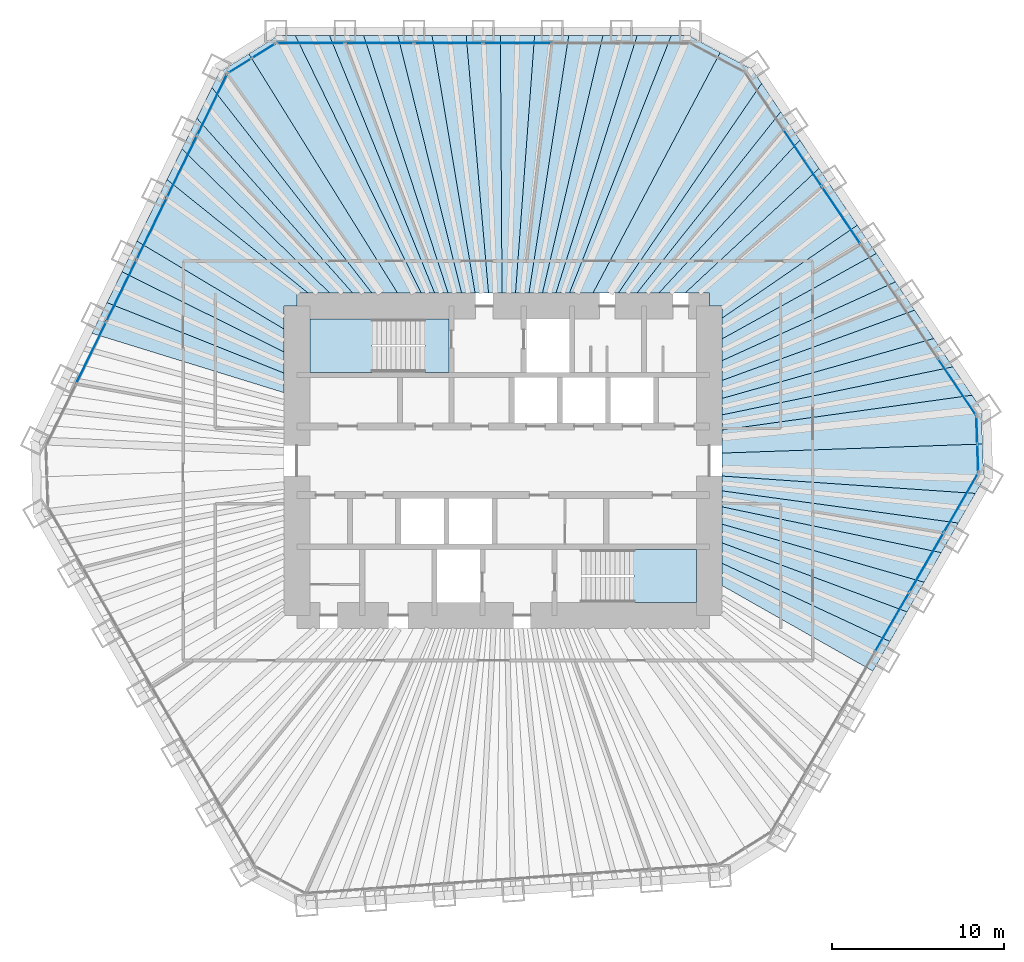
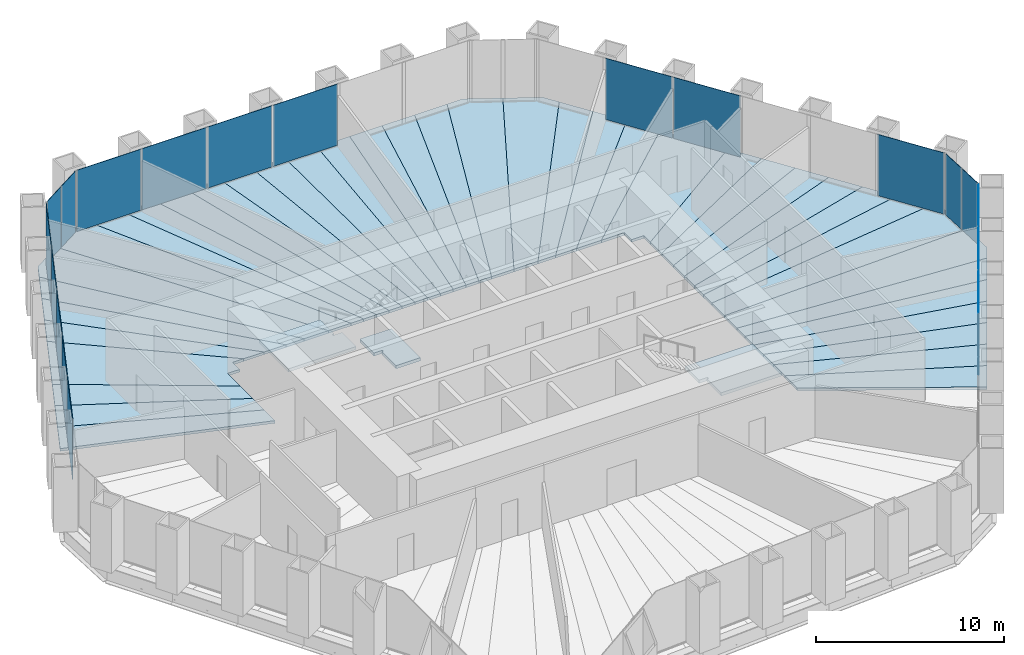
# One storey, part 9 of 13: 43 slabs, 19 plates, 8 elements without a shape of their own.
"""IFC4 building model written with IfcOpenShell, lengths in metres."""

from ifc_helpers import new_model, si_unit, direction, frame, origin, origin_2d, place, context, subcontext, project, spatial, polyline, rectangle, outline, extrude, material, layer, layer_set, type_object, element, aggregate, save


model = new_model("IFC4")

# Units and contexts
model_context = context("Model", 3, precision=1e-05, world=origin(), true_north=direction((0.0, 1.0)))
body_context = subcontext(model_context, "Body", "Model", "MODEL_VIEW")
ifc_project = project(units=[si_unit("LENGTHUNIT", "METRE"), si_unit("AREAUNIT", "SQUARE_METRE"), si_unit("VOLUMEUNIT", "CUBIC_METRE"), si_unit("PLANEANGLEUNIT", "RADIAN"), si_unit("MASSUNIT", "GRAM", prefix="KILO")], contexts=[model_context])

# Site, building, storey
site_placement = place(None, origin())
site = spatial("IfcSite", under=ifc_project, at=site_placement, CompositionType="ELEMENT")
building_placement = place(site_placement, origin())
building = spatial("IfcBuilding", under=site, at=building_placement, Name="Qingtian Harvest Tower", CompositionType="ELEMENT")
storey_placement = place(building_placement, frame((0.0, 0.0, 153.39990234375)))
storey = spatial("IfcBuildingStorey", under=building, at=storey_placement, Name="L32", CompositionType="ELEMENT", Elevation=153.39990234375)

# Slabs
ifc_material_1 = material(Name="Concrete fc' 35 MPa", Category="concrete")
ifc_layer_1 = layer(ifc_material_1, 0.169921875)
ifc_layer_set_1 = layer_set([ifc_layer_1], Name="Composite floor slab FS17 170")
slab_type_1 = type_object("IfcSlabType", Name="Composite floor slab FS17 170", PredefinedType="FLOOR", material=ifc_layer_set_1)
slab_1_placement = place(storey_placement, frame((0.0, 0.0, -0.169921875)))
element("IfcSlab", 1, at=slab_1_placement, inside=storey, type_object=slab_type_1, Name="Floor slab L32 panel D33", PredefinedType="FLOOR", context=body_context, shape_type="SweptSolid", body=[
    extrude(outline(polyline([(12.75, -5.97021484375), (22.51220703125, -10.517578125), (21.517333984375, -12.24072265625), (12.75, -7.268798828125), (12.75, -5.97021484375)])), origin(), (0.0, 0.0, 1.0), 0.169921875),
])
slab_2_placement = place(storey_placement, frame((0.0, 0.0, -0.169921875)))
element("IfcSlab", 2, at=slab_2_placement, inside=storey, type_object=slab_type_1, Name="Floor slab L32 panel D34", PredefinedType="FLOOR", context=body_context, shape_type="SweptSolid", body=[
    extrude(outline(polyline([(12.75, -4.78173828125), (23.50732421875, -8.794189453125), (22.51220703125, -10.517578125), (12.75, -5.97021484375), (12.75, -4.78173828125)])), origin(), (0.0, 0.0, 1.0), 0.169921875),
])
slab_3_placement = place(storey_placement, frame((0.0, 0.0, -0.169921875)))
element("IfcSlab", 3, at=slab_3_placement, inside=storey, type_object=slab_type_1, Name="Floor slab L32 panel D35", PredefinedType="FLOOR", context=body_context, shape_type="SweptSolid", body=[
    extrude(outline(polyline([(12.75, -3.68994140625), (24.502197265625, -7.071044921875), (23.50732421875, -8.794189453125), (12.75, -4.78173828125), (12.75, -3.68994140625)])), origin(), (0.0, 0.0, 1.0), 0.169921875),
])
slab_4_placement = place(storey_placement, frame((0.0, 0.0, -0.169921875)))
element("IfcSlab", 4, at=slab_4_placement, inside=storey, type_object=slab_type_1, Name="Floor slab L32 panel D36", PredefinedType="FLOOR", context=body_context, shape_type="SweptSolid", body=[
    extrude(outline(polyline([(12.75, -2.683349609375), (25.4970703125, -5.34765625), (24.502197265625, -7.071044921875), (12.75, -3.68994140625), (12.75, -2.683349609375)])), origin(), (0.0, 0.0, 1.0), 0.169921875),
])
slab_5_placement = place(storey_placement, frame((0.0, 0.0, -0.169921875)))
element("IfcSlab", 5, at=slab_5_placement, inside=storey, type_object=slab_type_1, Name="Floor slab L32 panel D37", PredefinedType="FLOOR", context=body_context, shape_type="SweptSolid", body=[
    extrude(outline(polyline([(12.75, -1.752685546875), (26.4921875, -3.624267578125), (25.4970703125, -5.34765625), (12.75, -2.683349609375), (12.75, -1.752685546875)])), origin(), (0.0, 0.0, 1.0), 0.169921875),
])
slab_6_placement = place(storey_placement, frame((0.0, 0.0, -0.169921875)))
element("IfcSlab", 6, at=slab_6_placement, inside=storey, type_object=slab_type_1, Name="Floor slab L32 panel D38", PredefinedType="FLOOR", context=body_context, shape_type="SweptSolid", body=[
    extrude(outline(polyline([(12.75, -0.889404296875), (27.487060546875, -1.901123046875), (26.4921875, -3.624267578125), (12.75, -1.752685546875), (12.75, -0.889404296875)])), origin(), (0.0, 0.0, 1.0), 0.169921875),
])
slab_7_placement = place(storey_placement, frame((0.0, 0.0, -0.169921875)))
element("IfcSlab", 7, at=slab_7_placement, inside=storey, type_object=slab_type_1, Name="Floor slab L32 panel D39", PredefinedType="FLOOR", context=body_context, shape_type="SweptSolid", body=[
    extrude(outline(polyline([(12.75, -0.889404296875), (12.75, 0.447509765625), (27.90185546875, 0.974365234375), (27.972900390625, -1.059814453125), (27.487060546875, -1.901123046875), (12.75, -0.889404296875)])), origin(), (0.0, 0.0, 1.0), 0.169921875),
])
slab_8_placement = place(storey_placement, frame((0.0, 0.0, -0.169921875)))
element("IfcSlab", 8, at=slab_8_placement, inside=storey, type_object=slab_type_1, Name="Floor slab L32 panel D40", PredefinedType="FLOOR", context=body_context, shape_type="SweptSolid", body=[
    extrude(outline(polyline([(12.75, 0.447509765625), (12.75, 1.79052734375), (27.287353515625, 3.81396484375), (27.830810546875, 3.008544921875), (27.90185546875, 0.974365234375), (12.75, 0.447509765625)])), origin(), (0.0, 0.0, 1.0), 0.169921875),
])
slab_9_placement = place(storey_placement, frame((0.0, 0.0, -0.169921875)))
element("IfcSlab", 9, at=slab_9_placement, inside=storey, type_object=slab_type_1, Name="Floor slab L32 panel D41", PredefinedType="FLOOR", context=body_context, shape_type="SweptSolid", body=[
    extrude(outline(polyline([(12.75, 2.671142578125), (26.1748046875, 5.463623046875), (27.287353515625, 3.81396484375), (12.75, 1.79052734375), (12.75, 2.671142578125)])), origin(), (0.0, 0.0, 1.0), 0.169921875),
])
slab_10_placement = place(storey_placement, frame((0.0, 0.0, -0.169921875)))
element("IfcSlab", 10, at=slab_10_placement, inside=storey, type_object=slab_type_1, Name="Floor slab L32 panel D42", PredefinedType="FLOOR", context=body_context, shape_type="SweptSolid", body=[
    extrude(outline(polyline([(12.75, 3.6298828125), (25.06201171875, 7.11328125), (26.1748046875, 5.463623046875), (12.75, 2.671142578125), (12.75, 3.6298828125)])), origin(), (0.0, 0.0, 1.0), 0.169921875),
])
slab_11_placement = place(storey_placement, frame((0.0, 0.0, -0.169921875)))
element("IfcSlab", 11, at=slab_11_placement, inside=storey, type_object=slab_type_1, Name="Floor slab L32 panel D43", PredefinedType="FLOOR", context=body_context, shape_type="SweptSolid", body=[
    extrude(outline(polyline([(12.75, 4.677734375), (23.94921875, 8.762939453125), (25.06201171875, 7.11328125), (12.75, 3.6298828125), (12.75, 4.677734375)])), origin(), (0.0, 0.0, 1.0), 0.169921875),
])
slab_12_placement = place(storey_placement, frame((0.0, 0.0, -0.169921875)))
element("IfcSlab", 12, at=slab_12_placement, inside=storey, type_object=slab_type_1, Name="Floor slab L32 panel D44", PredefinedType="FLOOR", context=body_context, shape_type="SweptSolid", body=[
    extrude(outline(polyline([(12.75, 5.828125), (22.83642578125, 10.41259765625), (23.94921875, 8.762939453125), (12.75, 4.677734375), (12.75, 5.828125)])), origin(), (0.0, 0.0, 1.0), 0.169921875),
])
slab_13_placement = place(storey_placement, frame((0.0, 0.0, -0.169921875)))
element("IfcSlab", 13, at=slab_13_placement, inside=storey, type_object=slab_type_1, Name="Floor slab L32 panel D45", PredefinedType="FLOOR", context=body_context, shape_type="SweptSolid", body=[
    extrude(outline(polyline([(12.75, 7.096435546875), (21.723876953125, 12.062255859375), (22.83642578125, 10.41259765625), (12.75, 5.828125), (12.75, 7.096435546875)])), origin(), (0.0, 0.0, 1.0), 0.169921875),
])
slab_14_placement = place(storey_placement, frame((0.0, 0.0, -0.169921875)))
element("IfcSlab", 14, at=slab_14_placement, inside=storey, type_object=slab_type_1, Name="Floor slab L32 panel D46", PredefinedType="FLOOR", context=body_context, shape_type="SweptSolid", body=[
    extrude(outline(polyline([(12.75, 8.30615234375), (20.61328125, 13.708740234375), (21.723876953125, 12.062255859375), (12.75, 7.096435546875), (12.75, 8.30615234375)])), origin(), (0.0, 0.0, 1.0), 0.169921875),
])
slab_15_placement = place(storey_placement, frame((0.0, 0.0, -0.169921875)))
element("IfcSlab", 15, at=slab_15_placement, inside=storey, type_object=slab_type_1, Name="Floor slab L32 panel D48", PredefinedType="FLOOR", context=body_context, shape_type="SweptSolid", body=[
    extrude(outline(polyline([(18.38623046875, 17.010498046875), (20.61328125, 13.708740234375), (12.75, 8.30615234375), (12.75, 9.0), (12.0, 9.0), (12.0, 9.75), (10.578369140625, 9.75), (18.38623046875, 17.010498046875)])), origin(), (0.0, 0.0, 1.0), 0.169921875),
])
slab_16_placement = place(storey_placement, frame((0.0, 0.0, -0.169921875)))
element("IfcSlab", 16, at=slab_16_placement, inside=storey, type_object=slab_type_1, Name="Floor slab L32 panel D49", PredefinedType="FLOOR", context=body_context, shape_type="SweptSolid", body=[
    extrude(outline(polyline([(9.0556640625, 9.75), (17.2734375, 18.66015625), (18.38623046875, 17.010498046875), (10.578369140625, 9.75), (9.0556640625, 9.75)])), origin(), (0.0, 0.0, 1.0), 0.169921875),
])
slab_17_placement = place(storey_placement, frame((0.0, 0.0, -0.169921875)))
element("IfcSlab", 17, at=slab_17_placement, inside=storey, type_object=slab_type_1, Name="Floor slab L32 panel D50", PredefinedType="FLOOR", context=body_context, shape_type="SweptSolid", body=[
    extrude(outline(polyline([(7.781494140625, 9.75), (16.16064453125, 20.31005859375), (17.2734375, 18.66015625), (9.0556640625, 9.75), (7.781494140625, 9.75)])), origin(), (0.0, 0.0, 1.0), 0.169921875),
])
slab_18_placement = place(storey_placement, frame((0.0, 0.0, -0.169921875)))
element("IfcSlab", 18, at=slab_18_placement, inside=storey, type_object=slab_type_1, Name="Floor slab L32 panel D51", PredefinedType="FLOOR", context=body_context, shape_type="SweptSolid", body=[
    extrude(outline(polyline([(6.69970703125, 9.75), (15.0478515625, 21.959716796875), (16.16064453125, 20.31005859375), (7.781494140625, 9.75), (6.69970703125, 9.75)])), origin(), (0.0, 0.0, 1.0), 0.169921875),
])
slab_19_placement = place(storey_placement, frame((0.0, 0.0, -0.169921875)))
element("IfcSlab", 19, at=slab_19_placement, inside=storey, type_object=slab_type_1, Name="Floor slab L32 panel D52", PredefinedType="FLOOR", context=body_context, shape_type="SweptSolid", body=[
    extrude(outline(polyline([(6.69970703125, 9.75), (5.224609375, 9.75), (12.634033203125, 23.759765625), (14.504638671875, 22.765380859375), (15.0478515625, 21.959716796875), (6.69970703125, 9.75)])), origin(), (0.0, 0.0, 1.0), 0.169921875),
])
slab_20_placement = place(storey_placement, frame((0.0, 0.0, -0.169921875)))
element("IfcSlab", 20, at=slab_20_placement, inside=storey, type_object=slab_type_1, Name="Floor slab L32 panel D53", PredefinedType="FLOOR", context=body_context, shape_type="SweptSolid", body=[
    extrude(outline(polyline([(3.856201171875, 9.75), (9.791015625, 24.7548828125), (10.762451171875, 24.7548828125), (12.634033203125, 23.759765625), (5.224609375, 9.75), (3.856201171875, 9.75)])), origin(), (0.0, 0.0, 1.0), 0.169921875),
])
slab_21_placement = place(storey_placement, frame((0.0, 0.0, -0.169921875)))
element("IfcSlab", 21, at=slab_21_placement, inside=storey, type_object=slab_type_1, Name="Floor slab L32 panel D54", PredefinedType="FLOOR", context=body_context, shape_type="SweptSolid", body=[
    extrude(outline(polyline([(3.072509765625, 9.75), (7.80126953125, 24.7548828125), (9.791015625, 24.7548828125), (3.856201171875, 9.75), (3.072509765625, 9.75)])), origin(), (0.0, 0.0, 1.0), 0.169921875),
])
slab_22_placement = place(storey_placement, frame((0.0, 0.0, -0.169921875)))
element("IfcSlab", 22, at=slab_22_placement, inside=storey, type_object=slab_type_1, Name="Floor slab L32 panel D55", PredefinedType="FLOOR", context=body_context, shape_type="SweptSolid", body=[
    extrude(outline(polyline([(2.288818359375, 9.75), (5.811279296875, 24.7548828125), (7.80126953125, 24.7548828125), (3.072509765625, 9.75), (2.288818359375, 9.75)])), origin(), (0.0, 0.0, 1.0), 0.169921875),
])
slab_23_placement = place(storey_placement, frame((0.0, 0.0, -0.169921875)))
element("IfcSlab", 23, at=slab_23_placement, inside=storey, type_object=slab_type_1, Name="Floor slab L32 panel D56", PredefinedType="FLOOR", context=body_context, shape_type="SweptSolid", body=[
    extrude(outline(polyline([(1.505126953125, 9.75), (3.821533203125, 24.7548828125), (5.811279296875, 24.7548828125), (2.288818359375, 9.75), (1.505126953125, 9.75)])), origin(), (0.0, 0.0, 1.0), 0.169921875),
])
slab_24_placement = place(storey_placement, frame((0.0, 0.0, -0.169921875)))
element("IfcSlab", 24, at=slab_24_placement, inside=storey, type_object=slab_type_1, Name="Floor slab L32 panel D57", PredefinedType="FLOOR", context=body_context, shape_type="SweptSolid", body=[
    extrude(outline(polyline([(0.721435546875, 9.75), (1.831787109375, 24.7548828125), (3.821533203125, 24.7548828125), (1.505126953125, 9.75), (0.721435546875, 9.75)])), origin(), (0.0, 0.0, 1.0), 0.169921875),
])
slab_25_placement = place(storey_placement, frame((0.0, 0.0, -0.169921875)))
element("IfcSlab", 25, at=slab_25_placement, inside=storey, type_object=slab_type_1, Name="Floor slab L32 panel D58", PredefinedType="FLOOR", context=body_context, shape_type="SweptSolid", body=[
    extrude(outline(polyline([(-0.062255859375, 9.75), (-0.158203125, 24.7548828125), (1.831787109375, 24.7548828125), (0.721435546875, 9.75), (-0.062255859375, 9.75)])), origin(), (0.0, 0.0, 1.0), 0.169921875),
])
slab_26_placement = place(storey_placement, frame((0.0, 0.0, -0.169921875)))
element("IfcSlab", 26, at=slab_26_placement, inside=storey, type_object=slab_type_1, Name="Floor slab L32 panel D59", PredefinedType="FLOOR", context=body_context, shape_type="SweptSolid", body=[
    extrude(outline(polyline([(-0.845947265625, 9.75), (-2.14794921875, 24.7548828125), (-0.158203125, 24.7548828125), (-0.062255859375, 9.75), (-0.845947265625, 9.75)])), origin(), (0.0, 0.0, 1.0), 0.169921875),
])
slab_27_placement = place(storey_placement, frame((0.0, 0.0, -0.169921875)))
element("IfcSlab", 27, at=slab_27_placement, inside=storey, type_object=slab_type_1, Name="Floor slab L32 panel D60", PredefinedType="FLOOR", context=body_context, shape_type="SweptSolid", body=[
    extrude(outline(polyline([(-1.629638671875, 9.75), (-4.137939453125, 24.7548828125), (-2.14794921875, 24.7548828125), (-0.845947265625, 9.75), (-1.629638671875, 9.75)])), origin(), (0.0, 0.0, 1.0), 0.169921875),
])
slab_28_placement = place(storey_placement, frame((0.0, 0.0, -0.169921875)))
element("IfcSlab", 28, at=slab_28_placement, inside=storey, type_object=slab_type_1, Name="Floor slab L32 panel D61", PredefinedType="FLOOR", context=body_context, shape_type="SweptSolid", body=[
    extrude(outline(polyline([(-2.41357421875, 9.75), (-6.127685546875, 24.7548828125), (-4.137939453125, 24.7548828125), (-1.629638671875, 9.75), (-2.41357421875, 9.75)])), origin(), (0.0, 0.0, 1.0), 0.169921875),
])
slab_29_placement = place(storey_placement, frame((0.0, 0.0, -0.169921875)))
element("IfcSlab", 29, at=slab_29_placement, inside=storey, type_object=slab_type_1, Name="Floor slab L32 panel D62", PredefinedType="FLOOR", context=body_context, shape_type="SweptSolid", body=[
    extrude(outline(polyline([(-3.197265625, 9.75), (-8.117431640625, 24.7548828125), (-6.127685546875, 24.7548828125), (-2.41357421875, 9.75), (-3.197265625, 9.75)])), origin(), (0.0, 0.0, 1.0), 0.169921875),
])
slab_30_placement = place(storey_placement, frame((0.0, 0.0, -0.169921875)))
element("IfcSlab", 30, at=slab_30_placement, inside=storey, type_object=slab_type_1, Name="Floor slab L32 panel D63", PredefinedType="FLOOR", context=body_context, shape_type="SweptSolid", body=[
    extrude(outline(polyline([(-3.98095703125, 9.75), (-10.107421875, 24.7548828125), (-8.117431640625, 24.7548828125), (-3.197265625, 9.75), (-3.98095703125, 9.75)])), origin(), (0.0, 0.0, 1.0), 0.169921875),
])
slab_31_placement = place(storey_placement, frame((0.0, 0.0, -0.169921875)))
element("IfcSlab", 31, at=slab_31_placement, inside=storey, type_object=slab_type_1, Name="Floor slab L32 panel D64", PredefinedType="FLOOR", context=body_context, shape_type="SweptSolid", body=[
    extrude(outline(polyline([(-4.7646484375, 9.75), (-12.09716796875, 24.7548828125), (-10.107421875, 24.7548828125), (-3.98095703125, 9.75), (-4.7646484375, 9.75)])), origin(), (0.0, 0.0, 1.0), 0.169921875),
])
slab_32_placement = place(storey_placement, frame((0.0, 0.0, -0.169921875)))
element("IfcSlab", 32, at=slab_32_placement, inside=storey, type_object=slab_type_1, Name="Floor slab L32 panel D65", PredefinedType="FLOOR", context=body_context, shape_type="SweptSolid", body=[
    extrude(outline(polyline([(-4.7646484375, 9.75), (-6.13671875, 9.75), (-14.795166015625, 23.676025390625), (-13.068603515625, 24.7548828125), (-12.09716796875, 24.7548828125), (-4.7646484375, 9.75)])), origin(), (0.0, 0.0, 1.0), 0.169921875),
])
slab_33_placement = place(storey_placement, frame((0.0, 0.0, -0.169921875)))
element("IfcSlab", 33, at=slab_33_placement, inside=storey, type_object=slab_type_1, Name="Floor slab L32 panel D66", PredefinedType="FLOOR", context=body_context, shape_type="SweptSolid", body=[
    extrude(outline(polyline([(-6.13671875, 9.75), (-7.62646484375, 9.75), (-16.94677734375, 21.724609375), (-16.520751953125, 22.597900390625), (-14.795166015625, 23.676025390625), (-6.13671875, 9.75)])), origin(), (0.0, 0.0, 1.0), 0.169921875),
])
slab_34_placement = place(storey_placement, frame((0.0, 0.0, -0.169921875)))
element("IfcSlab", 34, at=slab_34_placement, inside=storey, type_object=slab_type_1, Name="Floor slab L32 panel D67", PredefinedType="FLOOR", context=body_context, shape_type="SweptSolid", body=[
    extrude(outline(polyline([(-8.74169921875, 9.75), (-17.819091796875, 19.93603515625), (-16.94677734375, 21.724609375), (-7.62646484375, 9.75), (-8.74169921875, 9.75)])), origin(), (0.0, 0.0, 1.0), 0.169921875),
])
slab_35_placement = place(storey_placement, frame((0.0, 0.0, -0.169921875)))
element("IfcSlab", 35, at=slab_35_placement, inside=storey, type_object=slab_type_1, Name="Floor slab L32 panel D68", PredefinedType="FLOOR", context=body_context, shape_type="SweptSolid", body=[
    extrude(outline(polyline([(-10.077880859375, 9.75), (-18.69140625, 18.1474609375), (-17.819091796875, 19.93603515625), (-8.74169921875, 9.75), (-10.077880859375, 9.75)])), origin(), (0.0, 0.0, 1.0), 0.169921875),
])
slab_36_placement = place(storey_placement, frame((0.0, 0.0, -0.169921875)))
element("IfcSlab", 36, at=slab_36_placement, inside=storey, type_object=slab_type_1, Name="Floor slab L32 panel D69", PredefinedType="FLOOR", context=body_context, shape_type="SweptSolid", body=[
    extrude(outline(polyline([(-11.329345703125, 9.75), (-19.561279296875, 16.364013671875), (-18.69140625, 18.1474609375), (-10.077880859375, 9.75), (-11.329345703125, 9.75)])), origin(), (0.0, 0.0, 1.0), 0.169921875),
])
slab_37_placement = place(storey_placement, frame((0.0, 0.0, -0.169921875)))
element("IfcSlab", 37, at=slab_37_placement, inside=storey, type_object=slab_type_1, Name="Floor slab L32 panel D70", PredefinedType="FLOOR", context=body_context, shape_type="SweptSolid", body=[
    extrude(outline(polyline([(-12.0, 9.0), (-12.75, 9.0), (-12.75, 7.662841796875), (-21.307861328125, 12.78271484375), (-19.561279296875, 16.364013671875), (-11.329345703125, 9.75), (-12.0, 9.75), (-12.0, 9.0)])), origin(), (0.0, 0.0, 1.0), 0.169921875),
])
slab_38_placement = place(storey_placement, frame((0.0, 0.0, -0.169921875)))
element("IfcSlab", 38, at=slab_38_placement, inside=storey, type_object=slab_type_1, Name="Floor slab L32 panel D72", PredefinedType="FLOOR", context=body_context, shape_type="SweptSolid", body=[
    extrude(outline(polyline([(-12.75, 6.332275390625), (-22.18017578125, 10.994384765625), (-21.307861328125, 12.78271484375), (-12.75, 7.662841796875), (-12.75, 6.332275390625)])), origin(), (0.0, 0.0, 1.0), 0.169921875),
])
slab_39_placement = place(storey_placement, frame((0.0, 0.0, -0.169921875)))
element("IfcSlab", 39, at=slab_39_placement, inside=storey, type_object=slab_type_1, Name="Floor slab L32 panel D73", PredefinedType="FLOOR", context=body_context, shape_type="SweptSolid", body=[
    extrude(outline(polyline([(-12.75, 5.1025390625), (-23.052490234375, 9.205810546875), (-22.18017578125, 10.994384765625), (-12.75, 6.332275390625), (-12.75, 5.1025390625)])), origin(), (0.0, 0.0, 1.0), 0.169921875),
])
slab_40_placement = place(storey_placement, frame((0.0, 0.0, -0.169921875)))
element("IfcSlab", 40, at=slab_40_placement, inside=storey, type_object=slab_type_1, Name="Floor slab L32 panel D74", PredefinedType="FLOOR", context=body_context, shape_type="SweptSolid", body=[
    extrude(outline(polyline([(-12.75, 3.962646484375), (-23.9248046875, 7.417236328125), (-23.052490234375, 9.205810546875), (-12.75, 5.1025390625), (-12.75, 3.962646484375)])), origin(), (0.0, 0.0, 1.0), 0.169921875),
])

# Curtain wall, plates
ifc_material_2 = material(Name="Bronze-anodised aluminium curtain wall", Category="aluminium")
curtain_wall_type = type_object("IfcCurtainWallType", Name="Curtain wall CW4 office", PredefinedType="USERDEFINED", material=ifc_material_2)
curtain_wall_1_placement = place(storey_placement, origin())
curtain_wall_1 = element("IfcCurtainWall", 41, at=curtain_wall_1_placement, inside=storey, type_object=curtain_wall_type, Name="Curtain wall CW4 L32 N0-5", ObjectType="RECESSED CURTAIN WALL", PredefinedType="USERDEFINED")
ifc_material_3 = material(Name="Bronze-tinted laminated insulating glass", Category="glass")
ifc_layer_2 = layer(ifc_material_3, 0.030029296875)
ifc_layer_set_2 = layer_set([ifc_layer_2], Name="Glazed panel CWP tinted IGU")
plate_type = type_object("IfcPlateType", Name="Glazed panel CWP tinted IGU", PredefinedType="CURTAIN_PANEL", material=ifc_layer_set_2)
plate_1_placement = place(storey_placement, frame((-11.196044921875, 24.300048828125, 0.06494140625), z_axis=(0.0, 0.0, 1.0), x_axis=(1.0, 0.0, 0.0)))
plate_1 = element("IfcPlate", 42, at=plate_1_placement, type_object=plate_type, Name="CW4 panel 1.1", PredefinedType="CURTAIN_PANEL", context=body_context, shape_type="SweptSolid", body=[
    extrude(rectangle(XDim=3.921630859375, YDim=0.030029296875, at=origin_2d()), origin(), (0.0, 0.0, 1.0), 3.965087890625),
])
plate_2_placement = place(storey_placement, frame((-7.193115234375, 24.300048828125, 0.06494140625), z_axis=(0.0, 0.0, 1.0), x_axis=(1.0, 0.0, 0.0)))
plate_2 = element("IfcPlate", 43, at=plate_2_placement, type_object=plate_type, Name="CW4 panel 2.1", PredefinedType="CURTAIN_PANEL", context=body_context, shape_type="SweptSolid", body=[
    extrude(rectangle(XDim=3.9541015625, YDim=0.030029296875, at=origin_2d()), origin(), (0.0, 0.0, 1.0), 3.965087890625),
])
plate_3_placement = place(storey_placement, frame((-3.174072265625, 24.300048828125, 0.06494140625), z_axis=(0.0, 0.0, 1.0), x_axis=(1.0, 0.0, 0.0)))
plate_3 = element("IfcPlate", 44, at=plate_3_placement, type_object=plate_type, Name="CW4 panel 3.1", PredefinedType="CURTAIN_PANEL", context=body_context, shape_type="SweptSolid", body=[
    extrude(rectangle(XDim=3.9541015625, YDim=0.030029296875, at=origin_2d()), origin(), (0.0, 0.0, 1.0), 3.965087890625),
])
plate_4_placement = place(storey_placement, frame((0.844970703125, 24.300048828125, 0.06494140625), z_axis=(0.0, 0.0, 1.0), x_axis=(1.0, 0.0, 0.0)))
plate_4 = element("IfcPlate", 45, at=plate_4_placement, type_object=plate_type, Name="CW4 panel 4.1", PredefinedType="CURTAIN_PANEL", context=body_context, shape_type="SweptSolid", body=[
    extrude(rectangle(XDim=3.9541015625, YDim=0.030029296875, at=origin_2d()), origin(), (0.0, 0.0, 1.0), 3.965087890625),
])
aggregate(curtain_wall_1, [plate_1, plate_2, plate_3, plate_4])

curtain_wall_2_placement = place(storey_placement, origin())
curtain_wall_2 = element("IfcCurtainWall", 46, at=curtain_wall_2_placement, inside=storey, type_object=curtain_wall_type, Name="Curtain wall CW4 L32 NE0-5", ObjectType="RECESSED CURTAIN WALL", PredefinedType="USERDEFINED")
plate_5_placement = place(storey_placement, frame((17.425537109375, 17.620849609375, 0.06494140625), z_axis=(0.0, 0.0, 1.0), x_axis=(0.559192903471, -0.829037572555, 0.0)))
plate_5 = element("IfcPlate", 47, at=plate_5_placement, type_object=plate_type, Name="CW4 panel 2.1", PredefinedType="CURTAIN_PANEL", context=body_context, shape_type="SweptSolid", body=[
    extrude(rectangle(XDim=3.9541015625, YDim=0.030029296875, at=origin_2d()), origin(), (0.0, 0.0, 1.0), 3.965087890625),
])
plate_6_placement = place(storey_placement, frame((19.673095703125, 14.2890625, 0.06494140625), z_axis=(0.0, 0.0, 1.0), x_axis=(0.559192903471, -0.829037572555, 0.0)))
plate_6 = element("IfcPlate", 48, at=plate_6_placement, type_object=plate_type, Name="CW4 panel 3.1", PredefinedType="CURTAIN_PANEL", context=body_context, shape_type="SweptSolid", body=[
    extrude(rectangle(XDim=3.9541015625, YDim=0.030029296875, at=origin_2d()), origin(), (0.0, 0.0, 1.0), 3.965087890625),
])
plate_7_placement = place(storey_placement, frame((26.40625, 4.306640625, 0.06494140625), z_axis=(0.0, 0.0, 1.0), x_axis=(0.559192903471, -0.829037572555, 0.0)))
plate_7 = element("IfcPlate", 49, at=plate_7_placement, type_object=plate_type, Name="CW4 panel 6.1", PredefinedType="CURTAIN_PANEL", context=body_context, shape_type="SweptSolid", body=[
    extrude(rectangle(XDim=3.921630859375, YDim=0.030029296875, at=origin_2d()), origin(), (0.0, 0.0, 1.0), 3.965087890625),
])
aggregate(curtain_wall_2, [plate_5, plate_6, plate_7])

curtain_wall_3_placement = place(storey_placement, origin())
curtain_wall_3 = element("IfcCurtainWall", 50, at=curtain_wall_3_placement, inside=storey, type_object=curtain_wall_type, Name="Curtain wall CW4 L32 NEC", ObjectType="RECESSED CURTAIN WALL", PredefinedType="USERDEFINED")
plate_8_placement = place(storey_placement, frame((27.568603515625, 1.779052734375, 0.06494140625), z_axis=(0.0, 0.0, 1.0), x_axis=(0.034899496703, -0.999390827019, 0.0)))
plate_8 = element("IfcPlate", 51, at=plate_8_placement, type_object=plate_type, Name="CW4 panel 1.1", PredefinedType="CURTAIN_PANEL", context=body_context, shape_type="SweptSolid", body=[
    extrude(rectangle(XDim=1.56689453125, YDim=0.030029296875, at=origin_2d()), origin(), (0.0, 0.0, 1.0), 3.965087890625),
])
plate_9_placement = place(storey_placement, frame((27.625732421875, 0.148193359375, 0.06494140625), z_axis=(0.0, 0.0, 1.0), x_axis=(0.034899496703, -0.999390827019, 0.0)))
plate_9 = element("IfcPlate", 52, at=plate_9_placement, type_object=plate_type, Name="CW4 panel 2.1", PredefinedType="CURTAIN_PANEL", context=body_context, shape_type="SweptSolid", body=[
    extrude(rectangle(XDim=1.56689453125, YDim=0.030029296875, at=origin_2d()), origin(), (0.0, 0.0, 1.0), 3.965087890625),
])
aggregate(curtain_wall_3, [plate_8, plate_9])

curtain_wall_4_placement = place(storey_placement, origin())
curtain_wall_4 = element("IfcCurtainWall", 53, at=curtain_wall_4_placement, inside=storey, type_object=curtain_wall_type, Name="Curtain wall CW4 L32 SE0-5", ObjectType="RECESSED CURTAIN WALL", PredefinedType="USERDEFINED")
plate_10_placement = place(storey_placement, frame((26.642333984375, -2.4541015625, 0.06494140625), z_axis=(0.0, 0.0, 1.0), x_axis=(-0.5, -0.866025403784, 0.0)))
plate_10 = element("IfcPlate", 54, at=plate_10_placement, type_object=plate_type, Name="CW4 panel 1.1", PredefinedType="CURTAIN_PANEL", context=body_context, shape_type="SweptSolid", body=[
    extrude(rectangle(XDim=3.921630859375, YDim=0.030029296875, at=origin_2d()), origin(), (0.0, 0.0, 1.0), 3.965087890625),
])
plate_11_placement = place(storey_placement, frame((24.640869140625, -5.920654296875, 0.06494140625), z_axis=(0.0, 0.0, 1.0), x_axis=(-0.5, -0.866025403784, 0.0)))
plate_11 = element("IfcPlate", 55, at=plate_11_placement, type_object=plate_type, Name="CW4 panel 2.1", PredefinedType="CURTAIN_PANEL", context=body_context, shape_type="SweptSolid", body=[
    extrude(rectangle(XDim=3.9541015625, YDim=0.030029296875, at=origin_2d()), origin(), (0.0, 0.0, 1.0), 3.965087890625),
])
plate_12_placement = place(storey_placement, frame((22.63134765625, -9.401123046875, 0.06494140625), z_axis=(0.0, 0.0, 1.0), x_axis=(-0.5, -0.866025403784, 0.0)))
plate_12 = element("IfcPlate", 56, at=plate_12_placement, type_object=plate_type, Name="CW4 panel 3.1", PredefinedType="CURTAIN_PANEL", context=body_context, shape_type="SweptSolid", body=[
    extrude(rectangle(XDim=3.9541015625, YDim=0.030029296875, at=origin_2d()), origin(), (0.0, 0.0, 1.0), 3.965087890625),
])
aggregate(curtain_wall_4, [plate_10, plate_11, plate_12])

curtain_wall_5_placement = place(storey_placement, origin())
curtain_wall_5 = element("IfcCurtainWall", 57, at=curtain_wall_5_placement, inside=storey, type_object=curtain_wall_type, Name="Curtain wall CW4 L32 NW0-5", ObjectType="RECESSED CURTAIN WALL", PredefinedType="USERDEFINED")
plate_13_placement = place(storey_placement, frame((-23.972900390625, 6.280517578125, 0.06494140625), z_axis=(0.0, 0.0, 1.0), x_axis=(0.438371146789, 0.898794046299, 0.0)))
plate_13 = element("IfcPlate", 58, at=plate_13_placement, type_object=plate_type, Name="CW4 panel 2.1", PredefinedType="CURTAIN_PANEL", context=body_context, shape_type="SweptSolid", body=[
    extrude(rectangle(XDim=3.9541015625, YDim=0.030029296875, at=origin_2d()), origin(), (0.0, 0.0, 1.0), 3.965087890625),
])
plate_14_placement = place(storey_placement, frame((-22.211181640625, 9.892822265625, 0.06494140625), z_axis=(0.0, 0.0, 1.0), x_axis=(0.438371146789, 0.898794046299, 0.0)))
plate_14 = element("IfcPlate", 59, at=plate_14_placement, type_object=plate_type, Name="CW4 panel 3.1", PredefinedType="CURTAIN_PANEL", context=body_context, shape_type="SweptSolid", body=[
    extrude(rectangle(XDim=3.9541015625, YDim=0.030029296875, at=origin_2d()), origin(), (0.0, 0.0, 1.0), 3.965087890625),
])
plate_15_placement = place(storey_placement, frame((-20.44921875, 13.505126953125, 0.06494140625), z_axis=(0.0, 0.0, 1.0), x_axis=(0.438371146789, 0.898794046299, 0.0)))
plate_15 = element("IfcPlate", 60, at=plate_15_placement, type_object=plate_type, Name="CW4 panel 4.1", PredefinedType="CURTAIN_PANEL", context=body_context, shape_type="SweptSolid", body=[
    extrude(rectangle(XDim=3.9541015625, YDim=0.030029296875, at=origin_2d()), origin(), (0.0, 0.0, 1.0), 3.965087890625),
])
plate_16_placement = place(storey_placement, frame((-18.6875, 17.117431640625, 0.06494140625), z_axis=(0.0, 0.0, 1.0), x_axis=(0.438371146789, 0.898794046299, 0.0)))
plate_16 = element("IfcPlate", 61, at=plate_16_placement, type_object=plate_type, Name="CW4 panel 5.1", PredefinedType="CURTAIN_PANEL", context=body_context, shape_type="SweptSolid", body=[
    extrude(rectangle(XDim=3.9541015625, YDim=0.030029296875, at=origin_2d()), origin(), (0.0, 0.0, 1.0), 3.965087890625),
])
plate_17_placement = place(storey_placement, frame((-16.9326171875, 20.71533203125, 0.06494140625), z_axis=(0.0, 0.0, 1.0), x_axis=(0.438371146789, 0.898794046299, 0.0)))
plate_17 = element("IfcPlate", 62, at=plate_17_placement, type_object=plate_type, Name="CW4 panel 6.1", PredefinedType="CURTAIN_PANEL", context=body_context, shape_type="SweptSolid", body=[
    extrude(rectangle(XDim=3.921630859375, YDim=0.030029296875, at=origin_2d()), origin(), (0.0, 0.0, 1.0), 3.965087890625),
])
aggregate(curtain_wall_5, [plate_13, plate_14, plate_15, plate_16, plate_17])

curtain_wall_6_placement = place(storey_placement, origin())
curtain_wall_6 = element("IfcCurtainWall", 63, at=curtain_wall_6_placement, inside=storey, type_object=curtain_wall_type, Name="Curtain wall CW4 L32 NWC", ObjectType="RECESSED CURTAIN WALL", PredefinedType="USERDEFINED")
plate_18_placement = place(storey_placement, frame((-15.3251953125, 22.985595703125, 0.06494140625), z_axis=(0.0, 0.0, 1.0), x_axis=(0.848048096156, 0.529919264233, 0.0)))
plate_18 = element("IfcPlate", 64, at=plate_18_placement, type_object=plate_type, Name="CW4 panel 1.1", PredefinedType="CURTAIN_PANEL", context=body_context, shape_type="SweptSolid", body=[
    extrude(rectangle(XDim=1.56689453125, YDim=0.030029296875, at=origin_2d()), origin(), (0.0, 0.0, 1.0), 3.965087890625),
])
plate_19_placement = place(storey_placement, frame((-13.941162109375, 23.850341796875, 0.06494140625), z_axis=(0.0, 0.0, 1.0), x_axis=(0.848048096156, 0.529919264233, 0.0)))
plate_19 = element("IfcPlate", 65, at=plate_19_placement, type_object=plate_type, Name="CW4 panel 2.1", PredefinedType="CURTAIN_PANEL", context=body_context, shape_type="SweptSolid", body=[
    extrude(rectangle(XDim=1.56689453125, YDim=0.030029296875, at=origin_2d()), origin(), (0.0, 0.0, 1.0), 3.965087890625),
])
aggregate(curtain_wall_6, [plate_18, plate_19])

# Stair, slabs
ifc_material_4 = material(Name="Concrete fc' 35 MPa", Category="concrete")
stair_type = type_object("IfcStairType", Name="Special stair ST3 4200", PredefinedType="HALF_TURN_STAIR", material=ifc_material_4)
stair_1_placement = place(storey_placement, origin())
stair_1 = element("IfcStair", 66, at=stair_1_placement, inside=storey, type_object=stair_type, Name="Special stair S1 L32", PredefinedType="HALF_TURN_STAIR")
ifc_material_5 = material(Name="Concrete fc' 35 MPa", Category="concrete")
ifc_layer_3 = layer(ifc_material_5, 0.199951171875)
ifc_layer_set_3 = layer_set([ifc_layer_3], Name="Stair landing SL2 200")
slab_type_2 = type_object("IfcSlabType", Name="Stair landing SL2 200", PredefinedType="LANDING", material=ifc_layer_set_3)
slab_41_placement = place(storey_placement, frame((0.0, 0.0, -0.199951171875)))
slab_41 = element("IfcSlab", 67, at=slab_41_placement, type_object=slab_type_2, Name="S1 landing 1", PredefinedType="LANDING", context=body_context, shape_type="SweptSolid", body=[
    extrude(outline(polyline([(-4.64990234375, 5.14990234375), (-4.64990234375, 6.64990234375), (-4.550048828125, 6.64990234375), (-4.550048828125, 6.75), (-5.0849609375, 6.75), (-5.0849609375, 8.25), (-3.14990234375, 8.25), (-3.14990234375, 5.14990234375), (-4.64990234375, 5.14990234375)])), origin(), (0.0, 0.0, 1.0), 0.199951171875),
])
slab_42_placement = place(storey_placement, frame((0.0, 0.0, 1.900146484375)))
slab_42 = element("IfcSlab", 68, at=slab_42_placement, type_object=slab_type_2, Name="S1 landing 2", PredefinedType="LANDING", context=body_context, shape_type="SweptSolid", body=[
    extrude(outline(polyline([(-7.094970703125, 5.14990234375), (-11.25, 5.14990234375), (-11.25, 8.25), (-7.530029296875, 8.25), (-7.530029296875, 6.75), (-7.6298828125, 6.75), (-7.6298828125, 6.64990234375), (-7.094970703125, 6.64990234375), (-7.094970703125, 5.14990234375)])), origin(), (0.0, 0.0, 1.0), 0.199951171875),
])
aggregate(stair_1, [slab_41, slab_42])

# Stair, slab
stair_2_placement = place(storey_placement, origin())
stair_2 = element("IfcStair", 69, at=stair_2_placement, inside=storey, type_object=stair_type, Name="Special stair S2 L32", PredefinedType="HALF_TURN_STAIR")
slab_43_placement = place(storey_placement, frame((0.0, 0.0, 1.900146484375)))
slab_43 = element("IfcSlab", 70, at=slab_43_placement, type_object=slab_type_2, Name="S2 landing 2", PredefinedType="LANDING", context=body_context, shape_type="SweptSolid", body=[
    extrude(outline(polyline([(7.530029296875, -8.25), (7.530029296875, -6.75), (7.6298828125, -6.75), (7.6298828125, -6.64990234375), (7.094970703125, -6.64990234375), (7.094970703125, -5.14990234375), (11.25, -5.14990234375), (11.25, -8.25), (7.530029296875, -8.25)])), origin(), (0.0, 0.0, 1.0), 0.199951171875),
])
aggregate(stair_2, [slab_43])

save(model, "model.ifc")
